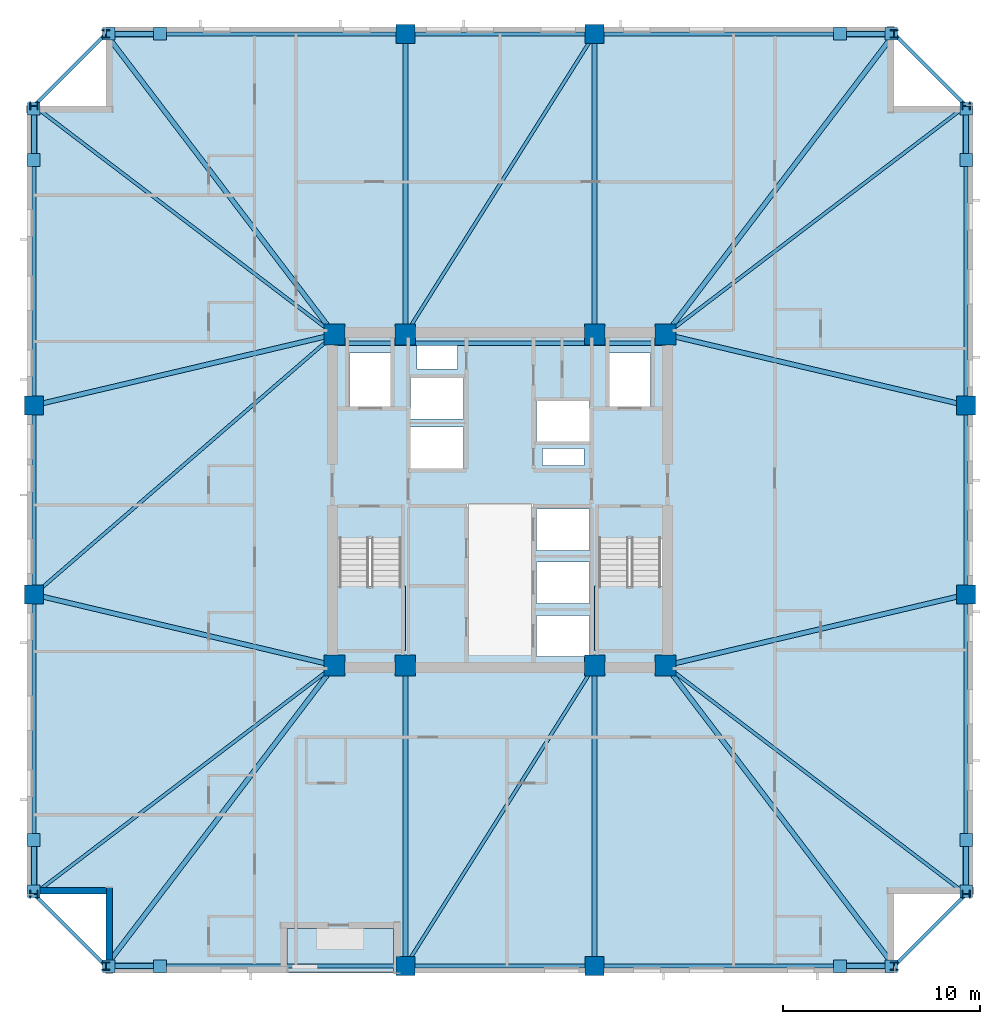
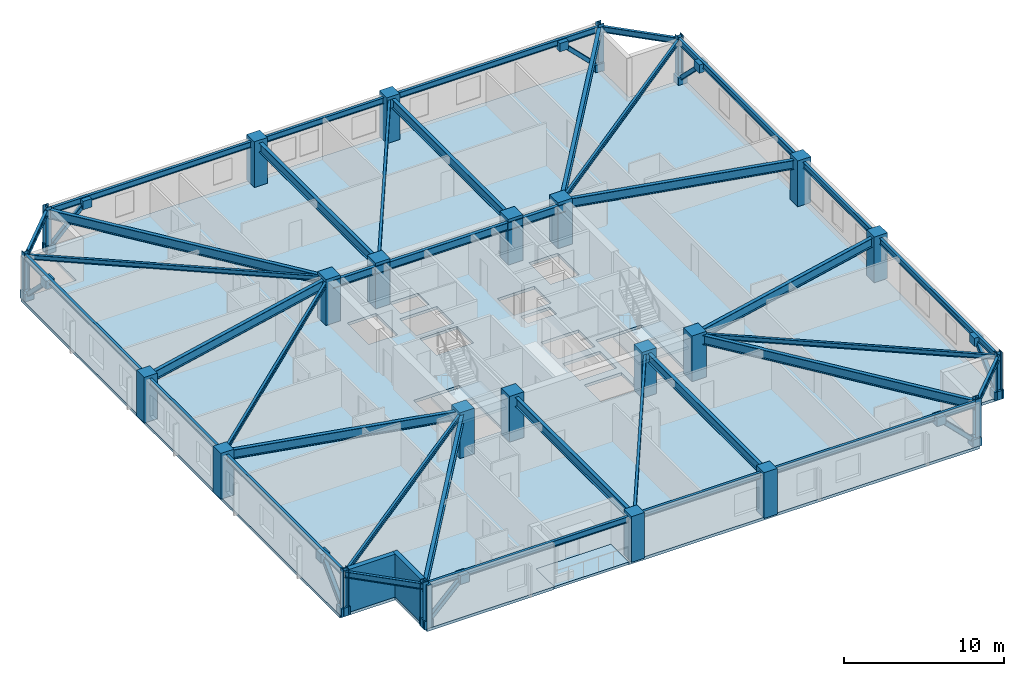
# One storey, part 1 of 11: 38 beams, 24 columns, 16 plates, 8 members, 4 slabs, 2 walls, 2 elements without a shape of their own.
"""IFC4 building model written with IfcOpenShell, lengths in metres."""

from ifc_helpers import new_model, si_unit, direction, frame, frame_2d, origin, origin_2d, place, context, subcontext, project, spatial, polyline, rectangle, hollow_rectangle, i_section, outline, extrude, material, layer, layer_set, material_profile, profile_set, type_object, element, aggregate, save


model = new_model("IFC4")

# Units and contexts
model_context = context("Model", 3, precision=1e-05, world=origin(), true_north=direction((0.0, 1.0)))
body_context = subcontext(model_context, "Body", "Model", "MODEL_VIEW")
ifc_project = project(units=[si_unit("LENGTHUNIT", "METRE"), si_unit("AREAUNIT", "SQUARE_METRE"), si_unit("VOLUMEUNIT", "CUBIC_METRE"), si_unit("PLANEANGLEUNIT", "RADIAN"), si_unit("MASSUNIT", "GRAM", prefix="KILO")], contexts=[model_context])

# Site, building, storey
site_placement = place(None, origin())
site = spatial("IfcSite", under=ifc_project, at=site_placement, CompositionType="ELEMENT")
building_placement = place(site_placement, origin())
building = spatial("IfcBuilding", under=site, at=building_placement, Name="Cairnveth Concourse Tower", CompositionType="ELEMENT")
storey_placement = place(building_placement, frame((0.0, 0.0, 148.0)))
storey = spatial("IfcBuildingStorey", under=building, at=storey_placement, Name="L40", CompositionType="ELEMENT", Elevation=148.0)

# Columns
ifc_material_1 = material(Name="Concrete N65 (65 MPa)", Category="concrete")
ifc_material_profile_1 = material_profile(ifc_material_1, rectangle(XDim=1.050048828125, YDim=1.050048828125, at=origin_2d()), Name="RC-COL-1050x1050")
ifc_profile_set_1 = profile_set([ifc_material_profile_1], Name="Concrete N65 (65 MPa)")
column_type_1 = type_object("IfcColumnType", Name="CORE COLUMN 1050X1050", PredefinedType="COLUMN", material=ifc_profile_set_1)
for number, where, z_axis, x_axis, name in (
    (1, (43.60009765625, 30.60009765625, 0.0), (0.0, 0.0, 1.0), (1.0, 0.0, 0.0), "Column CC1 L40"),
    (2, (47.199951171875, 30.60009765625, 0.0), (0.0, 0.0, 1.0), (1.0, 0.0, 0.0), "Column CC2 L40"),
    (3, (56.800048828125, 30.60009765625, 0.0), (0.0, 0.0, 1.0), (1.0, 0.0, 0.0), "Column CC3 L40"),
    (4, (60.39990234375, 30.60009765625, 0.0), (0.0, 0.0, 1.0), (1.0, 0.0, 0.0), "Column CC4 L40"),
    (5, (43.60009765625, 47.39990234375, 0.0), (0.0, 0.0, 1.0), (1.0, 0.0, 0.0), "Column CC5 L40"),
    (6, (47.199951171875, 47.39990234375, 0.0), (0.0, 0.0, 1.0), (1.0, 0.0, 0.0), "Column CC6 L40"),
    (7, (56.800048828125, 47.39990234375, 0.0), (0.0, 0.0, 1.0), (1.0, 0.0, 0.0), "Column CC7 L40"),
    (8, (60.39990234375, 47.39990234375, 0.0), (0.0, 0.0, 1.0), (1.0, 0.0, 0.0), "Column CC8 L40"),
):
    element("IfcColumn", number, at=place(storey_placement, frame(where, z_axis=z_axis, x_axis=x_axis)), inside=storey, type_object=column_type_1, Name=name, PredefinedType="COLUMN", context=body_context, shape_type="SweptSolid", body=[
        extrude(rectangle(XDim=1.050048828125, YDim=1.050048828125, at=origin_2d()), origin(), (0.0, 0.0, 1.0), 3.5),
    ])
ifc_material_profile_2 = material_profile(ifc_material_1, rectangle(XDim=0.949951171875, YDim=0.949951171875, at=origin_2d()), Name="RC-COL-950x950")
ifc_profile_set_2 = profile_set([ifc_material_profile_2], Name="Concrete N65 (65 MPa)")
column_type_2 = type_object("IfcColumnType", Name="PERIMETER PIER COLUMN 950X950", PredefinedType="COLUMN", material=ifc_profile_set_2)
for number, where, z_axis, x_axis, name in (
    (9, (47.199951171875, 15.35009765625, 0.0), (0.0, 0.0, 1.0), (1.0, 0.0, 0.0), "Column P-S2 L40"),
    (10, (56.800048828125, 15.35009765625, 0.0), (0.0, 0.0, 1.0), (1.0, 0.0, 0.0), "Column P-S3 L40"),
    (11, (75.64990234375, 34.199951171875, 0.0), (0.0, 0.0, 1.0), (0.0, 1.0, 0.0), "Column P-E2 L40"),
    (12, (75.64990234375, 43.800048828125, 0.0), (0.0, 0.0, 1.0), (0.0, 1.0, 0.0), "Column P-E3 L40"),
    (13, (56.800048828125, 62.64990234375, 0.0), (0.0, 0.0, 1.0), (1.0, 0.0, 0.0), "Column P-N2 L40"),
    (14, (47.199951171875, 62.64990234375, 0.0), (0.0, 0.0, 1.0), (1.0, 0.0, 0.0), "Column P-N3 L40"),
    (15, (28.35009765625, 43.800048828125, 0.0), (0.0, 0.0, 1.0), (0.0, 1.0, 0.0), "Column P-W2 L40"),
    (16, (28.35009765625, 34.199951171875, 0.0), (0.0, 0.0, 1.0), (0.0, 1.0, 0.0), "Column P-W3 L40"),
):
    element("IfcColumn", number, at=place(storey_placement, frame(where, z_axis=z_axis, x_axis=x_axis)), inside=storey, type_object=column_type_2, Name=name, PredefinedType="COLUMN", context=body_context, shape_type="SweptSolid", body=[
        extrude(rectangle(XDim=0.949951171875, YDim=0.949951171875, at=origin_2d()), origin(), (0.0, 0.0, 1.0), 3.5),
    ])
ifc_material_2 = material(Name="Steel Grade 350", Category="steel")
ifc_material_profile_3 = material_profile(ifc_material_2, i_section(OverallWidth=0.39990234375, OverallDepth=0.39990234375, WebThickness=0.02197265625, FlangeThickness=0.035888671875, at=origin_2d()), Name="400WC270")
ifc_profile_set_3 = profile_set([ifc_material_profile_3], Name="Steel Grade 350")
column_type_3 = type_object("IfcColumnType", Name="WELDED STEEL COLUMN 400WC270", PredefinedType="COLUMN", material=ifc_profile_set_3)
for number, where, z_axis, x_axis, name in (
    (17, (32.0, 15.35009765625, 0.0), (0.0, 0.0, 1.0), (1.0, 0.0, 0.0), "Column P-S1 L40"),
    (18, (72.0, 15.35009765625, 0.0), (0.0, 0.0, 1.0), (1.0, 0.0, 0.0), "Column P-S4 L40"),
    (19, (75.64990234375, 19.0, 0.0), (0.0, 0.0, 1.0), (0.0, 1.0, 0.0), "Column P-E1 L40"),
    (20, (75.64990234375, 59.0, 0.0), (0.0, 0.0, 1.0), (0.0, 1.0, 0.0), "Column P-E4 L40"),
    (21, (72.0, 62.64990234375, 0.0), (0.0, 0.0, 1.0), (1.0, 0.0, 0.0), "Column P-N1 L40"),
    (22, (32.0, 62.64990234375, 0.0), (0.0, 0.0, 1.0), (1.0, 0.0, 0.0), "Column P-N4 L40"),
    (23, (28.35009765625, 59.0, 0.0), (0.0, 0.0, 1.0), (0.0, 1.0, 0.0), "Column P-W1 L40"),
    (24, (28.35009765625, 19.0, 0.0), (0.0, 0.0, 1.0), (0.0, 1.0, 0.0), "Column P-W4 L40"),
):
    element("IfcColumn", number, at=place(storey_placement, frame(where, z_axis=z_axis, x_axis=x_axis)), inside=storey, type_object=column_type_3, Name=name, PredefinedType="COLUMN", context=body_context, shape_type="SweptSolid", body=[
        extrude(i_section(OverallWidth=0.39990234375, OverallDepth=0.39990234375, WebThickness=0.02197265625, FlangeThickness=0.035888671875, at=origin_2d()), origin(), (0.0, 0.0, 1.0), 3.5),
    ])

# Beams
ifc_material_profile_4 = material_profile(ifc_material_2, i_section(OverallWidth=0.22802734375, OverallDepth=0.60693359375, WebThickness=0.01123046875, FlangeThickness=0.017333984375, FilletRadius=0.013916015625, at=origin_2d()), Name="610UB113")
ifc_profile_set_4 = profile_set([ifc_material_profile_4], Name="Steel Grade 350")
beam_type_1 = type_object("IfcBeamType", Name="CORE TIE BEAM 610UB113", PredefinedType="T_BEAM", material=ifc_profile_set_4)
for number, where, z_axis, x_axis, name in (
    (25, (43.60009765625, 46.949951171875, 2.9765625), (1.0, 0.0, 0.0), (0.0, 1.0, 0.0), "Beam CT-N1 L40"),
    (26, (56.800048828125, 46.949951171875, 2.9765625), (1.0, 0.0, 0.0), (0.0, 1.0, 0.0), "Beam CT-N3 L40"),
):
    element("IfcBeam", number, at=place(storey_placement, frame(where, z_axis=z_axis, x_axis=x_axis)), inside=storey, type_object=beam_type_1, Name=name, PredefinedType="T_BEAM", context=body_context, shape_type="SweptSolid", body=[
        extrude(i_section(OverallWidth=0.22802734375, OverallDepth=0.60693359375, WebThickness=0.01123046875, FlangeThickness=0.017333984375, FilletRadius=0.013916015625, at=origin_2d()), origin(), (0.0, 0.0, 1.0), 3.599853515625),
    ])
beam_1_placement = place(storey_placement, frame((47.199951171875, 46.949951171875, 2.9765625), z_axis=(1.0, 0.0, 0.0), x_axis=(0.0, 1.0, 0.0)))
element("IfcBeam", 27, at=beam_1_placement, inside=storey, type_object=beam_type_1, Name="Beam CT-N2 L40", PredefinedType="T_BEAM", context=body_context, shape_type="SweptSolid", body=[
    extrude(i_section(OverallWidth=0.22802734375, OverallDepth=0.60693359375, WebThickness=0.01123046875, FlangeThickness=0.017333984375, FilletRadius=0.013916015625, at=origin_2d()), origin(), (0.0, 0.0, 1.0), 9.60009765625),
])
ifc_material_profile_5 = material_profile(ifc_material_2, i_section(OverallWidth=0.172119140625, OverallDepth=0.35888671875, WebThickness=0.008056640625, FlangeThickness=0.012939453125, FilletRadius=0.010986328125, at=origin_2d()), Name="360UB56.7")
ifc_profile_set_5 = profile_set([ifc_material_profile_5], Name="Steel Grade 350")
beam_type_2 = type_object("IfcBeamType", Name="ZONE 2 FLOOR JOIST 360UB56.7", PredefinedType="JOIST", material=ifc_profile_set_5)
for number, where, z_axis, x_axis, name in (
    (28, (28.35009765625, 19.0, 3.1005859375), (0.795908242904, 0.6054172684, 0.0), (-0.6054172684, 0.795908242904, 0.0), "Beam FJ-CSW2 L40"),
    (29, (75.64990234375, 19.0, 3.1005859375), (-0.795908242904, 0.6054172684, 0.0), (-0.6054172684, -0.795908242904, 0.0), "Beam FJ-CSE2 L40"),
    (30, (75.64990234375, 59.0, 3.1005859375), (-0.795908242904, -0.6054172684, 0.0), (0.6054172684, -0.795908242904, 0.0), "Beam FJ-CNE2 L40"),
    (31, (28.35009765625, 59.0, 3.1005859375), (0.795908242904, -0.6054172684, 0.0), (0.6054172684, 0.795908242904, 0.0), "Beam FJ-CNW2 L40"),
):
    element("IfcBeam", number, at=place(storey_placement, frame(where, z_axis=z_axis, x_axis=x_axis)), inside=storey, type_object=beam_type_2, Name=name, PredefinedType="JOIST", context=body_context, shape_type="SweptSolid", body=[
        extrude(i_section(OverallWidth=0.172119140625, OverallDepth=0.35888671875, WebThickness=0.008056640625, FlangeThickness=0.012939453125, FilletRadius=0.010986328125, at=origin_2d()), origin(), (0.0, 0.0, 1.0), 19.160400390625),
    ])
for number, where, z_axis, x_axis, name in (
    (32, (47.199951171875, 15.35009765625, 3.1005859375), (0.532743557037, 0.84627672923, 0.0), (-0.84627672923, 0.532743557037, 0.0), "Beam FJ-S-M1 L40"),
    (33, (47.199951171875, 47.39990234375, 3.1005859375), (0.532743557037, 0.84627672923, 0.0), (-0.84627672923, 0.532743557037, 0.0), "Beam FJ-N-M1 L40"),
):
    element("IfcBeam", number, at=place(storey_placement, frame(where, z_axis=z_axis, x_axis=x_axis)), inside=storey, type_object=beam_type_2, Name=name, PredefinedType="JOIST", context=body_context, shape_type="SweptSolid", body=[
        extrude(i_section(OverallWidth=0.172119140625, OverallDepth=0.35888671875, WebThickness=0.008056640625, FlangeThickness=0.012939453125, FilletRadius=0.010986328125, at=origin_2d()), origin(), (0.0, 0.0, 1.0), 18.02001953125),
    ])
beam_2_placement = place(storey_placement, frame((28.35009765625, 34.199951171875, 3.1005859375), z_axis=(0.756099107057, 0.654457134049, 0.0), x_axis=(-0.654457134049, 0.756099107057, 0.0)))
element("IfcBeam", 34, at=beam_2_placement, inside=storey, type_object=beam_type_2, Name="Beam FJ-W-M1 L40", PredefinedType="JOIST", context=body_context, shape_type="SweptSolid", body=[
    extrude(i_section(OverallWidth=0.172119140625, OverallDepth=0.35888671875, WebThickness=0.008056640625, FlangeThickness=0.012939453125, FilletRadius=0.010986328125, at=origin_2d()), origin(), (0.0, 0.0, 1.0), 20.16943359375),
])

# Members
ifc_material_3 = material(Name="Steel C350L0 (350 MPa)", Category="steel")
ifc_material_profile_6 = material_profile(ifc_material_3, hollow_rectangle(XDim=0.300048828125, YDim=0.300048828125, WallThickness=0.01611328125, InnerFilletRadius=0.01611328125, OuterFilletRadius=0.031982421875, at=origin_2d()), Name="300x300x16.0SHS")
ifc_profile_set_6 = profile_set([ifc_material_profile_6], Name="Steel C350L0 (350 MPa)")
member_type = type_object("IfcMemberType", Name="ZONE 2 PIER BRACE 300X300X16SHS", PredefinedType="BRACE", material=ifc_profile_set_6)
for number, where, z_axis, x_axis, name in (
    (35, (32.14990234375, 15.35009765625, 0.25), (0.709834195787, 0.0, 0.704368805735), (0.0, 1.0, 0.0), "Structural Brace PB-S1 L40"),
    (36, (71.85009765625, 15.35009765625, 0.25), (-0.709834195787, 0.0, 0.704368805735), (0.0, -1.0, 0.0), "Structural Brace PB-S2 L40"),
    (37, (32.14990234375, 62.64990234375, 0.25), (0.709834195787, 0.0, 0.704368805735), (0.0, 1.0, 0.0), "Structural Brace PB-N1 L40"),
    (38, (71.85009765625, 62.64990234375, 0.25), (-0.709834195787, 0.0, 0.704368805735), (0.0, -1.0, 0.0), "Structural Brace PB-N2 L40"),
    (39, (28.35009765625, 19.14990234375, 0.25), (0.0, 0.709834195787, 0.704368805735), (-1.0, 0.0, 0.0), "Structural Brace PB-W1 L40"),
    (40, (28.35009765625, 58.85009765625, 0.25), (0.0, -0.709834195787, 0.704368805735), (1.0, 0.0, 0.0), "Structural Brace PB-W2 L40"),
    (41, (75.64990234375, 19.14990234375, 0.25), (0.0, 0.709834195787, 0.704368805735), (-1.0, 0.0, 0.0), "Structural Brace PB-E1 L40"),
    (42, (75.64990234375, 58.85009765625, 0.25), (0.0, -0.709834195787, 0.704368805735), (1.0, 0.0, 0.0), "Structural Brace PB-E2 L40"),
):
    element("IfcMember", number, at=place(storey_placement, frame(where, z_axis=z_axis, x_axis=x_axis)), inside=storey, type_object=member_type, Name=name, PredefinedType="BRACE", context=body_context, shape_type="SweptSolid", body=[
        extrude(hollow_rectangle(XDim=0.300048828125, YDim=0.300048828125, WallThickness=0.01611328125, InnerFilletRadius=0.01611328125, OuterFilletRadius=0.031982421875, at=origin_2d()), origin(), (0.0, 0.0, 1.0), 3.6630859375),
    ])

# Beams
ifc_material_profile_7 = material_profile(ifc_material_2, i_section(OverallWidth=0.25, OverallDepth=0.699951171875, WebThickness=0.011962890625, FlangeThickness=0.028076171875, at=origin_2d()), Name="700WB173")
ifc_profile_set_7 = profile_set([ifc_material_profile_7], Name="Steel Grade 350")
beam_type_3 = type_object("IfcBeamType", Name="ZONE 2 RADIAL GIRDER 700WB173", PredefinedType="BEAM", material=ifc_profile_set_7)
for number, where, z_axis, x_axis, name in (
    (43, (47.199951171875, 15.35009765625, 2.929931640625), (0.0, 1.0, 0.0), (-1.0, 0.0, 0.0), "Beam RG-S1 L40"),
    (44, (56.800048828125, 15.35009765625, 2.929931640625), (0.0, 1.0, 0.0), (-1.0, 0.0, 0.0), "Beam RG-S2 L40"),
    (45, (47.199951171875, 47.39990234375, 2.929931640625), (0.0, 1.0, 0.0), (-1.0, 0.0, 0.0), "Beam RG-N1 L40"),
    (46, (56.800048828125, 47.39990234375, 2.929931640625), (0.0, 1.0, 0.0), (-1.0, 0.0, 0.0), "Beam RG-N2 L40"),
):
    element("IfcBeam", number, at=place(storey_placement, frame(where, z_axis=z_axis, x_axis=x_axis)), inside=storey, type_object=beam_type_3, Name=name, PredefinedType="BEAM", context=body_context, shape_type="SweptSolid", body=[
        extrude(i_section(OverallWidth=0.25, OverallDepth=0.699951171875, WebThickness=0.011962890625, FlangeThickness=0.028076171875, at=origin_2d()), origin(), (0.0, 0.0, 1.0), 15.25),
    ])
for number, where, z_axis, x_axis, name in (
    (47, (28.35009765625, 34.199951171875, 2.929931640625), (0.973251602929, -0.229741849468, 0.0), (0.229741849468, 0.973251602929, 0.0), "Beam RG-W1 L40"),
    (48, (28.35009765625, 43.800048828125, 2.929931640625), (0.973251602929, 0.229741849468, 0.0), (-0.229741849468, 0.973251602929, 0.0), "Beam RG-W2 L40"),
    (49, (60.39990234375, 30.60009765625, 2.929931640625), (0.973251602929, 0.229741849468, 0.0), (-0.229741849468, 0.973251602929, 0.0), "Beam RG-E1 L40"),
    (50, (60.39990234375, 47.39990234375, 2.929931640625), (0.973251602929, -0.229741849468, 0.0), (0.229741849468, 0.973251602929, 0.0), "Beam RG-E2 L40"),
):
    element("IfcBeam", number, at=place(storey_placement, frame(where, z_axis=z_axis, x_axis=x_axis)), inside=storey, type_object=beam_type_3, Name=name, PredefinedType="BEAM", context=body_context, shape_type="SweptSolid", body=[
        extrude(i_section(OverallWidth=0.25, OverallDepth=0.699951171875, WebThickness=0.011962890625, FlangeThickness=0.028076171875, at=origin_2d()), origin(), (0.0, 0.0, 1.0), 15.669189453125),
    ])
for number, where, z_axis, x_axis, name in (
    (51, (32.0, 15.35009765625, 2.929931640625), (0.6054172684, 0.795908242904, 0.0), (-0.795908242904, 0.6054172684, 0.0), "Beam RG-CSW L40"),
    (52, (72.0, 15.35009765625, 2.929931640625), (-0.6054172684, 0.795908242904, 0.0), (-0.795908242904, -0.6054172684, 0.0), "Beam RG-CSE L40"),
    (53, (72.0, 62.64990234375, 2.929931640625), (-0.6054172684, -0.795908242904, 0.0), (0.795908242904, -0.6054172684, 0.0), "Beam RG-CNE L40"),
    (54, (32.0, 62.64990234375, 2.929931640625), (0.6054172684, -0.795908242904, 0.0), (0.795908242904, 0.6054172684, 0.0), "Beam RG-CNW L40"),
):
    element("IfcBeam", number, at=place(storey_placement, frame(where, z_axis=z_axis, x_axis=x_axis)), inside=storey, type_object=beam_type_3, Name=name, PredefinedType="BEAM", context=body_context, shape_type="SweptSolid", body=[
        extrude(i_section(OverallWidth=0.25, OverallDepth=0.699951171875, WebThickness=0.011962890625, FlangeThickness=0.028076171875, at=origin_2d()), origin(), (0.0, 0.0, 1.0), 19.160400390625),
    ])
ifc_material_profile_8 = material_profile(ifc_material_2, i_section(OverallWidth=0.18994140625, OverallDepth=0.45703125, WebThickness=0.009033203125, FlangeThickness=0.014404296875, FilletRadius=0.010986328125, at=origin_2d()), Name="460UB74.6")
ifc_profile_set_8 = profile_set([ifc_material_profile_8], Name="Steel Grade 350")
beam_type_4 = type_object("IfcBeamType", Name="ZONE 2 SPANDREL BEAM 460UB74.6", PredefinedType="SPANDREL", material=ifc_profile_set_8)
beam_3_placement = place(storey_placement, frame((32.0, 15.35009765625, 3.051513671875), z_axis=(1.0, 0.0, 0.0), x_axis=(0.0, 1.0, 0.0)))
element("IfcBeam", 55, at=beam_3_placement, inside=storey, type_object=beam_type_4, Name="Beam SP-S1 L40", PredefinedType="SPANDREL", context=body_context, shape_type="SweptSolid", body=[
    extrude(i_section(OverallWidth=0.18994140625, OverallDepth=0.45703125, WebThickness=0.009033203125, FlangeThickness=0.014404296875, FilletRadius=0.010986328125, at=origin_2d()), origin(), (0.0, 0.0, 1.0), 15.199951171875),
])
beam_4_placement = place(storey_placement, frame((47.199951171875, 15.35009765625, 3.051513671875), z_axis=(1.0, 0.0, 0.0), x_axis=(0.0, 1.0, 0.0)))
element("IfcBeam", 56, at=beam_4_placement, inside=storey, type_object=beam_type_4, Name="Beam SP-S2 L40", PredefinedType="SPANDREL", context=body_context, shape_type="SweptSolid", body=[
    extrude(i_section(OverallWidth=0.18994140625, OverallDepth=0.45703125, WebThickness=0.009033203125, FlangeThickness=0.014404296875, FilletRadius=0.010986328125, at=origin_2d()), origin(), (0.0, 0.0, 1.0), 9.60009765625),
])
for number, where, z_axis, x_axis, name in (
    (57, (56.800048828125, 15.35009765625, 3.051513671875), (1.0, 0.0, 0.0), (0.0, 1.0, 0.0), "Beam SP-S3 L40"),
    (58, (32.0, 62.64990234375, 3.051513671875), (1.0, 0.0, 0.0), (0.0, 1.0, 0.0), "Beam SP-N1 L40"),
):
    element("IfcBeam", number, at=place(storey_placement, frame(where, z_axis=z_axis, x_axis=x_axis)), inside=storey, type_object=beam_type_4, Name=name, PredefinedType="SPANDREL", context=body_context, shape_type="SweptSolid", body=[
        extrude(i_section(OverallWidth=0.18994140625, OverallDepth=0.45703125, WebThickness=0.009033203125, FlangeThickness=0.014404296875, FilletRadius=0.010986328125, at=origin_2d()), origin(), (0.0, 0.0, 1.0), 15.199951171875),
    ])
beam_5_placement = place(storey_placement, frame((47.199951171875, 62.64990234375, 3.051513671875), z_axis=(1.0, 0.0, 0.0), x_axis=(0.0, 1.0, 0.0)))
element("IfcBeam", 59, at=beam_5_placement, inside=storey, type_object=beam_type_4, Name="Beam SP-N2 L40", PredefinedType="SPANDREL", context=body_context, shape_type="SweptSolid", body=[
    extrude(i_section(OverallWidth=0.18994140625, OverallDepth=0.45703125, WebThickness=0.009033203125, FlangeThickness=0.014404296875, FilletRadius=0.010986328125, at=origin_2d()), origin(), (0.0, 0.0, 1.0), 9.60009765625),
])
for number, where, z_axis, x_axis, name in (
    (60, (56.800048828125, 62.64990234375, 3.051513671875), (1.0, 0.0, 0.0), (0.0, 1.0, 0.0), "Beam SP-N3 L40"),
    (61, (28.35009765625, 19.0, 3.051513671875), (0.0, 1.0, 0.0), (-1.0, 0.0, 0.0), "Beam SP-W1 L40"),
):
    element("IfcBeam", number, at=place(storey_placement, frame(where, z_axis=z_axis, x_axis=x_axis)), inside=storey, type_object=beam_type_4, Name=name, PredefinedType="SPANDREL", context=body_context, shape_type="SweptSolid", body=[
        extrude(i_section(OverallWidth=0.18994140625, OverallDepth=0.45703125, WebThickness=0.009033203125, FlangeThickness=0.014404296875, FilletRadius=0.010986328125, at=origin_2d()), origin(), (0.0, 0.0, 1.0), 15.199951171875),
    ])
beam_6_placement = place(storey_placement, frame((28.35009765625, 34.199951171875, 3.051513671875), z_axis=(0.0, 1.0, 0.0), x_axis=(-1.0, 0.0, 0.0)))
element("IfcBeam", 62, at=beam_6_placement, inside=storey, type_object=beam_type_4, Name="Beam SP-W2 L40", PredefinedType="SPANDREL", context=body_context, shape_type="SweptSolid", body=[
    extrude(i_section(OverallWidth=0.18994140625, OverallDepth=0.45703125, WebThickness=0.009033203125, FlangeThickness=0.014404296875, FilletRadius=0.010986328125, at=origin_2d()), origin(), (0.0, 0.0, 1.0), 9.60009765625),
])
for number, where, z_axis, x_axis, name in (
    (63, (28.35009765625, 43.800048828125, 3.051513671875), (0.0, 1.0, 0.0), (-1.0, 0.0, 0.0), "Beam SP-W3 L40"),
    (64, (75.64990234375, 19.0, 3.051513671875), (0.0, 1.0, 0.0), (-1.0, 0.0, 0.0), "Beam SP-E1 L40"),
):
    element("IfcBeam", number, at=place(storey_placement, frame(where, z_axis=z_axis, x_axis=x_axis)), inside=storey, type_object=beam_type_4, Name=name, PredefinedType="SPANDREL", context=body_context, shape_type="SweptSolid", body=[
        extrude(i_section(OverallWidth=0.18994140625, OverallDepth=0.45703125, WebThickness=0.009033203125, FlangeThickness=0.014404296875, FilletRadius=0.010986328125, at=origin_2d()), origin(), (0.0, 0.0, 1.0), 15.199951171875),
    ])
beam_7_placement = place(storey_placement, frame((75.64990234375, 34.199951171875, 3.051513671875), z_axis=(0.0, 1.0, 0.0), x_axis=(-1.0, 0.0, 0.0)))
element("IfcBeam", 65, at=beam_7_placement, inside=storey, type_object=beam_type_4, Name="Beam SP-E2 L40", PredefinedType="SPANDREL", context=body_context, shape_type="SweptSolid", body=[
    extrude(i_section(OverallWidth=0.18994140625, OverallDepth=0.45703125, WebThickness=0.009033203125, FlangeThickness=0.014404296875, FilletRadius=0.010986328125, at=origin_2d()), origin(), (0.0, 0.0, 1.0), 9.60009765625),
])
beam_8_placement = place(storey_placement, frame((75.64990234375, 43.800048828125, 3.051513671875), z_axis=(0.0, 1.0, 0.0), x_axis=(-1.0, 0.0, 0.0)))
element("IfcBeam", 66, at=beam_8_placement, inside=storey, type_object=beam_type_4, Name="Beam SP-E3 L40", PredefinedType="SPANDREL", context=body_context, shape_type="SweptSolid", body=[
    extrude(i_section(OverallWidth=0.18994140625, OverallDepth=0.45703125, WebThickness=0.009033203125, FlangeThickness=0.014404296875, FilletRadius=0.010986328125, at=origin_2d()), origin(), (0.0, 0.0, 1.0), 15.199951171875),
])
for number, where, z_axis, x_axis, name in (
    (67, (28.35009765625, 19.0, 3.051513671875), (0.707106781187, -0.707106781187, 0.0), (0.707106781187, 0.707106781187, 0.0), "Beam SP-SW L40"),
    (68, (72.0, 15.35009765625, 3.051513671875), (0.707106781187, 0.707106781187, 0.0), (-0.707106781187, 0.707106781187, 0.0), "Beam SP-SE L40"),
    (69, (72.0, 62.64990234375, 3.051513671875), (0.707106781187, -0.707106781187, 0.0), (0.707106781187, 0.707106781187, 0.0), "Beam SP-NE L40"),
    (70, (28.35009765625, 59.0, 3.051513671875), (0.707106781187, 0.707106781187, 0.0), (-0.707106781187, 0.707106781187, 0.0), "Beam SP-NW L40"),
):
    element("IfcBeam", number, at=place(storey_placement, frame(where, z_axis=z_axis, x_axis=x_axis)), inside=storey, type_object=beam_type_4, Name=name, PredefinedType="SPANDREL", context=body_context, shape_type="SweptSolid", body=[
        extrude(i_section(OverallWidth=0.18994140625, OverallDepth=0.45703125, WebThickness=0.009033203125, FlangeThickness=0.014404296875, FilletRadius=0.010986328125, at=origin_2d()), origin(), (0.0, 0.0, 1.0), 5.16162109375),
    ])

# Slab
ifc_material_4 = material(Name="Concrete N50 (50 MPa)", Category="concrete")
ifc_layer_1 = layer(ifc_material_4, 0.219970703125)
ifc_layer_set_1 = layer_set([ifc_layer_1], Name="Concrete N50 (50 MPa)")
slab_type_1 = type_object("IfcSlabType", Name="LOWER TOWER COMPOSITE SLAB 220", PredefinedType="FLOOR", material=ifc_layer_set_1)
slab_1_placement = place(storey_placement, frame((0.0, 0.0, -0.219970703125)))
element("IfcSlab", 71, at=slab_1_placement, inside=storey, type_object=slab_type_1, Name="Tower Floor Slab L40", PredefinedType="FLOOR", context=body_context, shape_type="SweptSolid", body=[
    extrude(outline(polyline([(41.199951171875, 15.0), (41.199951171875, 17.25), (46.60009765625, 17.25), (46.60009765625, 15.0), (72.0, 15.0), (72.0, 19.0), (76.0, 19.0), (76.0, 59.0), (72.0, 59.0), (72.0, 63.0), (32.0, 63.0), (32.0, 59.0), (28.0, 59.0), (28.0, 19.0), (32.0, 19.0), (32.0, 15.0), (41.199951171875, 15.0)]), holes=[polyline([(43.760009765625, 31.360107421875), (47.06005859375, 31.360107421875), (47.06005859375, 37.0400390625), (43.760009765625, 37.0400390625), (43.760009765625, 31.360107421875)]), polyline([(56.93994140625, 31.360107421875), (60.239990234375, 31.360107421875), (60.239990234375, 37.0400390625), (56.93994140625, 37.0400390625), (56.93994140625, 31.360107421875)]), polyline([(44.3701171875, 43.75), (46.469970703125, 43.75), (46.469970703125, 46.449951171875), (44.3701171875, 46.449951171875), (44.3701171875, 43.75)]), polyline([(57.530029296875, 43.75), (59.6298828125, 43.75), (59.6298828125, 46.449951171875), (57.530029296875, 46.449951171875), (57.530029296875, 43.75)]), polyline([(53.85009765625, 31.050048828125), (56.550048828125, 31.050048828125), (56.550048828125, 33.14990234375), (53.85009765625, 33.14990234375), (53.85009765625, 31.050048828125)]), polyline([(53.85009765625, 33.75), (56.550048828125, 33.75), (56.550048828125, 35.85009765625), (53.85009765625, 35.85009765625), (53.85009765625, 33.75)]), polyline([(53.85009765625, 36.449951171875), (56.550048828125, 36.449951171875), (56.550048828125, 38.550048828125), (53.85009765625, 38.550048828125), (53.85009765625, 36.449951171875)]), polyline([(47.449951171875, 40.60009765625), (50.14990234375, 40.60009765625), (50.14990234375, 42.699951171875), (47.449951171875, 42.699951171875), (47.449951171875, 40.60009765625)]), polyline([(47.449951171875, 43.10009765625), (50.14990234375, 43.10009765625), (50.14990234375, 45.199951171875), (47.449951171875, 45.199951171875), (47.449951171875, 43.10009765625)]), polyline([(53.85009765625, 41.949951171875), (56.550048828125, 41.949951171875), (56.550048828125, 44.050048828125), (53.85009765625, 44.050048828125), (53.85009765625, 41.949951171875)]), polyline([(47.800048828125, 45.64990234375), (49.85009765625, 45.64990234375), (49.85009765625, 47.050048828125), (47.800048828125, 47.050048828125), (47.800048828125, 45.64990234375)]), polyline([(54.14990234375, 40.75), (56.25, 40.75), (56.25, 41.6201171875), (54.14990234375, 41.6201171875), (54.14990234375, 40.75)])]), origin(), (0.0, 0.0, 1.0), 0.219970703125),
])

# Plates
ifc_layer_2 = layer(ifc_material_2, 0.031982421875)
ifc_layer_set_2 = layer_set([ifc_layer_2], Name="Steel Grade 350")
plate_type = type_object("IfcPlateType", Name="PERIMETER BRACE GUSSET PLATE 32", PredefinedType="USERDEFINED", material=ifc_layer_set_2)
for number, where, z_axis, x_axis, name in (
    (72, (32.14990234375, 15.35009765625, -0.06982421875), (0.0, 0.0, 1.0), (1.0, 0.0, 0.0), "Structural Node Plate 0673 L40"),
    (73, (34.75, 15.35009765625, 2.51025390625), (0.0, 0.0, 1.0), (1.0, 0.0, 0.0), "Structural Node Plate 0674 L40"),
    (74, (71.85009765625, 15.35009765625, -0.06982421875), (0.0, 0.0, 1.0), (1.0, 0.0, 0.0), "Structural Node Plate 0675 L40"),
    (75, (69.25, 15.35009765625, 2.51025390625), (0.0, 0.0, 1.0), (1.0, 0.0, 0.0), "Structural Node Plate 0676 L40"),
    (76, (32.14990234375, 62.64990234375, -0.06982421875), (0.0, 0.0, 1.0), (1.0, 0.0, 0.0), "Structural Node Plate 0677 L40"),
    (77, (34.75, 62.64990234375, 2.51025390625), (0.0, 0.0, 1.0), (1.0, 0.0, 0.0), "Structural Node Plate 0678 L40"),
    (78, (71.85009765625, 62.64990234375, -0.06982421875), (0.0, 0.0, 1.0), (1.0, 0.0, 0.0), "Structural Node Plate 0679 L40"),
    (79, (69.25, 62.64990234375, 2.51025390625), (0.0, 0.0, 1.0), (1.0, 0.0, 0.0), "Structural Node Plate 0680 L40"),
    (80, (28.35009765625, 19.14990234375, -0.06982421875), (0.0, 0.0, 1.0), (1.0, 0.0, 0.0), "Structural Node Plate 0681 L40"),
    (81, (28.35009765625, 21.75, 2.51025390625), (0.0, 0.0, 1.0), (1.0, 0.0, 0.0), "Structural Node Plate 0682 L40"),
    (82, (28.35009765625, 58.85009765625, -0.06982421875), (0.0, 0.0, 1.0), (1.0, 0.0, 0.0), "Structural Node Plate 0683 L40"),
    (83, (28.35009765625, 56.25, 2.51025390625), (0.0, 0.0, 1.0), (1.0, 0.0, 0.0), "Structural Node Plate 0684 L40"),
    (84, (75.64990234375, 19.14990234375, -0.06982421875), (0.0, 0.0, 1.0), (1.0, 0.0, 0.0), "Structural Node Plate 0685 L40"),
    (85, (75.64990234375, 21.75, 2.51025390625), (0.0, 0.0, 1.0), (1.0, 0.0, 0.0), "Structural Node Plate 0686 L40"),
    (86, (75.64990234375, 58.85009765625, -0.06982421875), (0.0, 0.0, 1.0), (1.0, 0.0, 0.0), "Structural Node Plate 0687 L40"),
    (87, (75.64990234375, 56.25, 2.51025390625), (0.0, 0.0, 1.0), (1.0, 0.0, 0.0), "Structural Node Plate 0688 L40"),
):
    element("IfcPlate", number, at=place(storey_placement, frame(where, z_axis=z_axis, x_axis=x_axis)), inside=storey, type_object=plate_type, Name=name, ObjectType="GUSSET PLATE", PredefinedType="USERDEFINED", context=body_context, shape_type="SweptSolid", body=[
        extrude(rectangle(XDim=0.639892578125, YDim=0.639892578125, at=origin_2d()), origin(), (0.0, 0.0, 1.0), 0.639892578125),
    ])

# Slab
ifc_layer_3 = layer(ifc_material_4, 0.18994140625)
ifc_layer_set_3 = layer_set([ifc_layer_3], Name="Concrete N50 (50 MPa)")
slab_type_2 = type_object("IfcSlabType", Name="SPIRAL OUTDOOR TERRACE SLAB 190", PredefinedType="FLOOR", material=ifc_layer_set_3)
slab_2_placement = place(storey_placement, frame((0.0, 0.0, -0.18994140625)))
element("IfcSlab", 88, at=slab_2_placement, inside=storey, type_object=slab_type_2, Name="Spiral Terrace Slab L40", PredefinedType="FLOOR", context=body_context, shape_type="SweptSolid", body=[
    extrude(outline(polyline([(41.199951171875, 15.0), (46.60009765625, 15.0), (46.60009765625, 17.25), (41.199951171875, 17.25), (41.199951171875, 15.0)])), origin(), (0.0, 0.0, 1.0), 0.18994140625),
])

# Stair, slab
ifc_material_5 = material(Name="Precast concrete N50 (50 MPa)", Category="concrete")
stair_type = type_object("IfcStairType", Name="CORE DOG-LEG FIRE STAIR 1500", PredefinedType="HALF_TURN_STAIR", material=ifc_material_5)
stair_1_placement = place(storey_placement, origin())
stair_1 = element("IfcStair", 89, at=stair_1_placement, inside=storey, type_object=stair_type, Name="L40 Fire-Isolated Stair ST-1", PredefinedType="HALF_TURN_STAIR")
ifc_layer_4 = layer(ifc_material_4, 0.199951171875)
ifc_layer_set_4 = layer_set([ifc_layer_4], Name="Concrete N50 (50 MPa)")
slab_type_3 = type_object("IfcSlabType", Name="STAIR HALF LANDING SLAB 200", PredefinedType="LANDING", material=ifc_layer_set_4)
slab_3_placement = place(storey_placement, frame((0.0, 0.0, 1.550048828125)))
slab_3 = element("IfcSlab", 90, at=slab_3_placement, type_object=slab_type_3, Name="ST-1 landing 1", PredefinedType="LANDING", context=body_context, shape_type="SweptSolid", body=[
    extrude(outline(polyline([(43.6201171875, 34.639892578125), (43.6201171875, 31.3701171875), (47.199951171875, 31.3701171875), (47.199951171875, 34.639892578125), (43.6201171875, 34.639892578125)])), origin(), (0.0, 0.0, 1.0), 0.199951171875),
])
aggregate(stair_1, [slab_3])

stair_2_placement = place(storey_placement, origin())
stair_2 = element("IfcStair", 91, at=stair_2_placement, inside=storey, type_object=stair_type, Name="L40 Fire-Isolated Stair ST-2", PredefinedType="HALF_TURN_STAIR")
slab_4_placement = place(storey_placement, frame((0.0, 0.0, 1.550048828125)))
slab_4 = element("IfcSlab", 92, at=slab_4_placement, type_object=slab_type_3, Name="ST-2 landing 1", PredefinedType="LANDING", context=body_context, shape_type="SweptSolid", body=[
    extrude(outline(polyline([(56.800048828125, 34.639892578125), (56.800048828125, 31.3701171875), (60.3798828125, 31.3701171875), (60.3798828125, 34.639892578125), (56.800048828125, 34.639892578125)])), origin(), (0.0, 0.0, 1.0), 0.199951171875),
])
aggregate(stair_2, [slab_4])

# Walls
ifc_material_6 = material(Name="Hawthorn Red-Ochre Fired Clay Brick Masonry", Category="masonry")
ifc_layer_5 = layer(ifc_material_6, 0.340087890625)
ifc_layer_set_5 = layer_set([ifc_layer_5], Name="Hawthorn Red-Ochre Fired Clay Brick Masonry")
wall_type = type_object("IfcWallType", Name="ZONE 2 BRICK PIER SPANDREL WALL 340", PredefinedType="SOLIDWALL", material=ifc_layer_set_5)
wall_1_placement = place(storey_placement, frame((32.169921875, 15.0, 0.0), z_axis=(0.0, 0.0, 1.0), x_axis=(0.0, 1.0, 0.0)))
element("IfcWall", 93, at=wall_1_placement, inside=storey, type_object=wall_type, Name="Exterior Wall EW-L40-S01", PredefinedType="SOLIDWALL", context=body_context, shape_type="SweptSolid", body=[
    extrude(rectangle(XDim=4.340087890625, YDim=0.340087890625, at=frame_2d((2.169921875, 0.0))), origin(), (0.0, 0.0, 1.0), 3.280029296875),
])
wall_2_placement = place(storey_placement, frame((32.02197265625, 19.169921875, 0.0), z_axis=(0.0, 0.0, 1.0), x_axis=(-1.0, 0.0, 0.0)))
element("IfcWall", 94, at=wall_2_placement, inside=storey, type_object=wall_type, Name="Exterior Wall EW-L40-S02", PredefinedType="SOLIDWALL", context=body_context, shape_type="SweptSolid", body=[
    extrude(rectangle(XDim=3.703857421875, YDim=0.340087890625, at=frame_2d((1.85205078125, 0.0))), origin(), (0.0, 0.0, 1.0), 3.280029296875),
])

save(model, "model.ifc")
